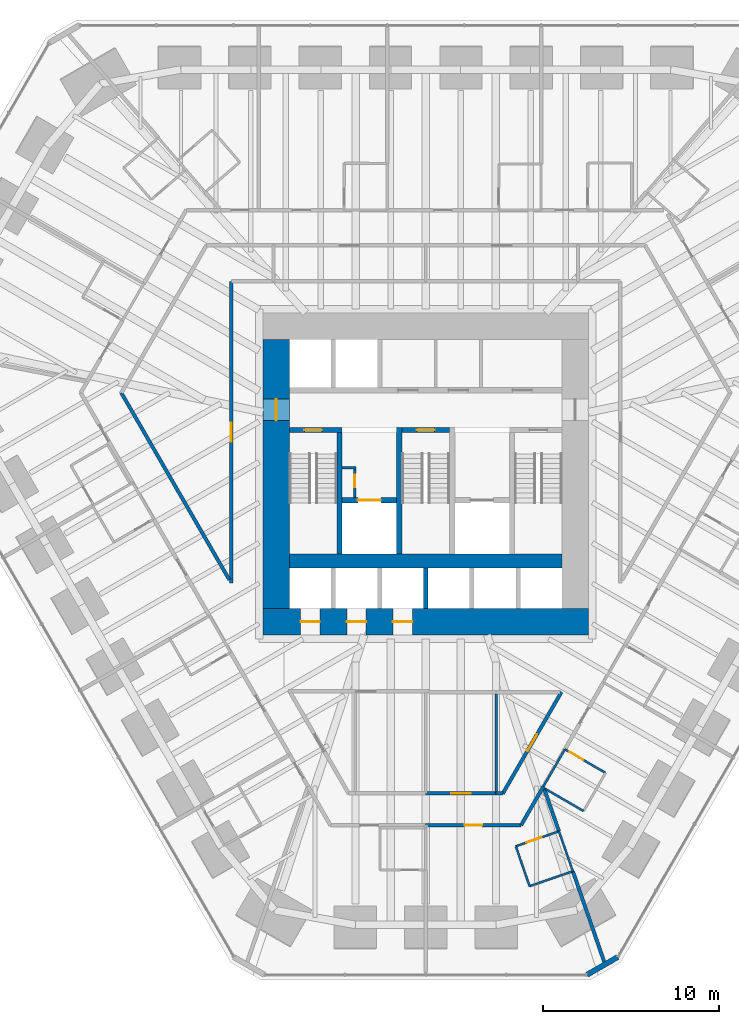
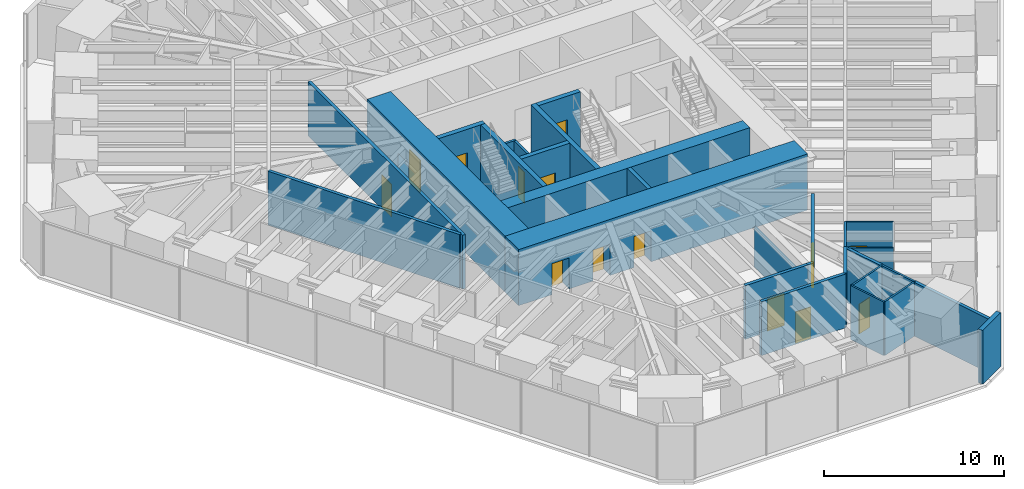
# One storey, part 12 of 17: 29 walls, 14 doors, 14 openings.
"""IFC4 building model written with IfcOpenShell, lengths in metres."""

from ifc_helpers import new_model, si_unit, direction, frame, frame_2d, origin, place, context, subcontext, project, spatial, rectangle, extrude, material, layer, layer_set, type_object, element, fill, save


model = new_model("IFC4")

# Units and contexts
model_context = context("Model", 3, precision=1e-05, world=origin(), true_north=direction((0.0, 1.0)))
body_context = subcontext(model_context, "Body", "Model", "MODEL_VIEW")
ifc_project = project(units=[si_unit("LENGTHUNIT", "METRE"), si_unit("AREAUNIT", "SQUARE_METRE"), si_unit("VOLUMEUNIT", "CUBIC_METRE"), si_unit("PLANEANGLEUNIT", "RADIAN"), si_unit("MASSUNIT", "GRAM", prefix="KILO")], contexts=[model_context])

# Site, building, storey
site_placement = place(None, origin())
site = spatial("IfcSite", under=ifc_project, at=site_placement, CompositionType="ELEMENT")
building_placement = place(site_placement, origin())
building = spatial("IfcBuilding", under=site, at=building_placement, Name="Sandreach Pilgrim Tower", CompositionType="ELEMENT")
storey_placement = place(building_placement, frame((0.0, 0.0, 87.60009765625)))
storey = spatial("IfcBuildingStorey", under=building, at=storey_placement, Name="L21", CompositionType="ELEMENT", Elevation=87.60009765625)

# Walls
ifc_material_1 = material(Name="Gypsum board on steel studs", Category="steel")
ifc_layer_1 = layer(ifc_material_1, 0.14990234375)
ifc_layer_set_1 = layer_set([ifc_layer_1], Name="Back of house wall 150")
wall_type_1 = type_object("IfcWallType", Name="Back of house wall 150", PredefinedType="PARTITIONING", material=ifc_layer_set_1)
wall_1_placement = place(storey_placement, frame((4.0, -13.949951171875, 0.0), z_axis=(0.0, 0.0, 1.0), x_axis=(0.0, -1.0, 0.0)))
element("IfcWall", 1, at=wall_1_placement, inside=storey, type_object=wall_type_1, Name="Back of house wall L21-082", PredefinedType="PARTITIONING", context=body_context, shape_type="SweptSolid", body=[
    extrude(rectangle(XDim=5.760009765625, YDim=0.14990234375, at=frame_2d((2.8798828125, 0.0))), origin(), (0.0, 0.0, 1.0), 2.712890625),
])
ifc_material_2 = material(Name="Moisture-resistant gypsum board on steel studs", Category="steel")
ifc_layer_2 = layer(ifc_material_2, 0.1201171875)
ifc_layer_set_2 = layer_set([ifc_layer_2], Name="Bathroom partition 120")
wall_type_2 = type_object("IfcWallType", Name="Bathroom partition 120", PredefinedType="PARTITIONING", material=ifc_layer_set_2)
wall_2_placement = place(storey_placement, frame((5.1201171875, -22.7099609375, 0.0), z_axis=(0.0, 0.0, 1.0), x_axis=(0.324880771143, -0.945754981241, 0.0)))
element("IfcWall", 2, at=wall_2_placement, inside=storey, type_object=wall_type_2, Name="Bathroom partition L21-087", PredefinedType="PARTITIONING", context=body_context, shape_type="SweptSolid", body=[
    extrude(rectangle(XDim=2.400146484375, YDim=0.1201171875, at=frame_2d((1.2001953125, 0.0))), origin(), (0.0, 0.0, 1.0), 3.639892578125),
])
wall_3_placement = place(storey_placement, frame((5.89990234375, -24.97998046875, 0.0), z_axis=(0.0, 0.0, 1.0), x_axis=(0.945165466094, 0.326591857987, 0.0)))
element("IfcWall", 3, at=wall_3_placement, inside=storey, type_object=wall_type_2, Name="Bathroom partition L21-089", PredefinedType="PARTITIONING", context=body_context, shape_type="SweptSolid", body=[
    extrude(rectangle(XDim=2.60302734375, YDim=0.1201171875, at=frame_2d((1.301513671875, 0.0))), origin(), (0.0, 0.0, 1.0), 3.639892578125),
])
wall_4_placement = place(storey_placement, frame((6.68994140625, -19.31005859375, 0.0), z_axis=(0.0, 0.0, 1.0), x_axis=(0.500522890398, 0.865723302324, 0.0)))
element("IfcWall", 4, at=wall_4_placement, inside=storey, type_object=wall_type_2, Name="Bathroom partition L21-094", PredefinedType="PARTITIONING", context=body_context, shape_type="SweptSolid", body=[
    extrude(rectangle(XDim=2.4375, YDim=0.1201171875, at=frame_2d((1.21875, 0.0))), origin(), (0.0, 0.0, 1.0), 3.639892578125),
])
wall_5_placement = place(storey_placement, frame((6.807861328125, -19.455078125, 0.0), z_axis=(0.0, 0.0, 1.0), x_axis=(0.864881956308, -0.501975299844, 0.0)))
element("IfcWall", 5, at=wall_5_placement, inside=storey, type_object=wall_type_2, Name="Bathroom partition L21-095", PredefinedType="PARTITIONING", context=body_context, shape_type="SweptSolid", body=[
    extrude(rectangle(XDim=2.5, YDim=0.1201171875, at=frame_2d((1.25, 0.0))), origin(), (0.0, 0.0, 1.0), 3.639892578125),
])

# Wall, opening, door
wall_6_placement = place(storey_placement, frame((7.570068359375, -21.860107421875, 0.0), z_axis=(0.0, 0.0, 1.0), x_axis=(-0.944782191137, -0.327698964463, 0.0)))
wall_6 = element("IfcWall", 6, at=wall_6_placement, inside=storey, type_object=wall_type_2, Name="Bathroom partition L21-096", PredefinedType="PARTITIONING", context=body_context, shape_type="SweptSolid", body=[
    extrude(rectangle(XDim=2.593505859375, YDim=0.1201171875, at=frame_2d((1.296875, 0.0))), origin(), (0.0, 0.0, 1.0), 3.639892578125),
])
opening_1_placement = place(wall_6_placement, frame((1.050048828125, 0.0, 0.0)))
opening_1 = element("IfcOpeningElement", 7, at=opening_1_placement, cuts=wall_6, Name="Opening D09-11B", PredefinedType="OPENING", context=body_context, shape_type="SweptSolid", body=[
    extrude(rectangle(XDim=0.89990234375, YDim=2.030029296875, at=frame_2d((0.449951171875, 1.01513671875))), frame((0.0, 0.06005859375, 0.0), z_axis=(0.0, -1.0, 0.0), x_axis=(1.0, 0.0, 0.0)), (0.0, 0.0, 1.0), 0.1201171875),
])
ifc_material_3 = material(Name="Timber door, steel frame", Category="steel")
door_type_1 = type_object("IfcDoorType", Name="Bathroom door", OperationType="SINGLE_SWING_LEFT", PredefinedType="DOOR", material=ifc_material_3)
door_1_placement = place(opening_1_placement, origin())
door_1 = element("IfcDoor", 8, at=door_1_placement, inside=storey, type_object=door_type_1, Name="Door 2111B", OperationType="SINGLE_SWING_RIGHT", OverallHeight=2.030029296875, OverallWidth=0.89990234375, PredefinedType="DOOR", context=body_context, shape_type="SweptSolid", body=[
    extrude(rectangle(XDim=0.89990234375, YDim=2.030029296875, at=frame_2d((0.449951171875, 1.01513671875))), frame((0.0, 0.02490234375, 0.0), z_axis=(0.0, -1.0, 0.0), x_axis=(1.0, 0.0, 0.0)), (0.0, 0.0, 1.0), 0.050048828125),
])
fill(opening_1, door_1)

# Wall
wall_7_placement = place(storey_placement, frame((7.570068359375, -21.860107421875, 0.0), z_axis=(0.0, 0.0, 1.0), x_axis=(0.328725498061, -0.944425511581, 0.0)))
element("IfcWall", 9, at=wall_7_placement, inside=storey, type_object=wall_type_2, Name="Bathroom partition L21-098", PredefinedType="PARTITIONING", context=body_context, shape_type="SweptSolid", body=[
    extrude(rectangle(XDim=2.4033203125, YDim=0.1201171875, at=frame_2d((1.20166015625, 0.0))), origin(), (0.0, 0.0, 1.0), 3.639892578125),
])

# Wall, opening, door
wall_8_placement = place(storey_placement, frame((10.219970703125, -18.5400390625, 0.0), z_axis=(0.0, 0.0, 1.0), x_axis=(-0.86498992408, 0.501789229896, 0.0)))
wall_8 = element("IfcWall", 10, at=wall_8_placement, inside=storey, type_object=wall_type_2, Name="Bathroom partition L21-110", PredefinedType="PARTITIONING", context=body_context, shape_type="SweptSolid", body=[
    extrude(rectangle(XDim=2.670654296875, YDim=0.1201171875, at=frame_2d((1.33544921875, 0.0))), origin(), (0.0, 0.0, 1.0), 3.639892578125),
])
opening_2_placement = place(wall_8_placement, frame((1.470458984375, 0.0, 0.0)))
opening_2 = element("IfcOpeningElement", 11, at=opening_2_placement, cuts=wall_8, Name="Opening D09-10B", PredefinedType="OPENING", context=body_context, shape_type="SweptSolid", body=[
    extrude(rectangle(XDim=0.89990234375, YDim=2.030029296875, at=frame_2d((0.449951171875, 1.01513671875))), frame((0.0, 0.06005859375, 0.0), z_axis=(0.0, -1.0, 0.0), x_axis=(1.0, 0.0, 0.0)), (0.0, 0.0, 1.0), 0.1201171875),
])
door_2_placement = place(opening_2_placement, origin())
door_2 = element("IfcDoor", 12, at=door_2_placement, inside=storey, type_object=door_type_1, Name="Door 2110B", OperationType="SINGLE_SWING_RIGHT", OverallHeight=2.030029296875, OverallWidth=0.89990234375, PredefinedType="DOOR", context=body_context, shape_type="SweptSolid", body=[
    extrude(rectangle(XDim=0.89990234375, YDim=2.030029296875, at=frame_2d((0.449951171875, 1.01513671875))), frame((0.0, 0.02490234375, 0.0), z_axis=(0.0, -1.0, 0.0), x_axis=(1.0, 0.0, 0.0)), (0.0, 0.0, 1.0), 0.050048828125),
])
fill(opening_2, door_2)

# Walls
ifc_material_4 = material(Name="Concrete 10000 psi", Category="concrete")
ifc_layer_3 = layer(ifc_material_4, 0.300048828125)
ifc_layer_set_3 = layer_set([ifc_layer_3], Name="Core inner wall 300")
wall_type_3 = type_object("IfcWallType", Name="Core inner wall 300", PredefinedType="SHEAR", material=ifc_layer_set_3)
for number, where, z_axis, x_axis, name in (
    (13, (-4.89990234375, -6.10009765625, 0.0), (0.0, 0.0, 1.0), (0.0, 1.0, 0.0), "Core wall I0 L21"),
    (14, (-1.5, -6.10009765625, 0.0), (0.0, 0.0, 1.0), (0.0, 1.0, 0.0), "Core wall I1 L21"),
):
    element("IfcWall", number, at=place(storey_placement, frame(where, z_axis=z_axis, x_axis=x_axis)), inside=storey, type_object=wall_type_3, Name=name, PredefinedType="SHEAR", context=body_context, shape_type="SweptSolid", body=[
        extrude(rectangle(XDim=7.2001953125, YDim=0.300048828125, at=frame_2d((3.60009765625, 0.0))), origin(), (0.0, 0.0, 1.0), 3.7998046875),
    ])

# Wall, opening, door
wall_9_placement = place(storey_placement, frame((-7.75, 0.949951171875, 0.0), z_axis=(0.0, 0.0, 1.0), x_axis=(1.0, 0.0, 0.0)))
wall_9 = element("IfcWall", 15, at=wall_9_placement, inside=storey, type_object=wall_type_3, Name="Core wall SN1 L21", PredefinedType="SHEAR", context=body_context, shape_type="SweptSolid", body=[
    extrude(rectangle(XDim=3.0, YDim=0.300048828125, at=frame_2d((1.5, 0.0))), origin(), (0.0, 0.0, 1.0), 3.7998046875),
])
opening_3_placement = place(wall_9_placement, frame((0.85009765625, 0.0, 0.0)))
opening_3 = element("IfcOpeningElement", 16, at=opening_3_placement, cuts=wall_9, Name="Opening D10S-ST1", PredefinedType="OPENING", context=body_context, shape_type="SweptSolid", body=[
    extrude(rectangle(XDim=1.0, YDim=2.199951171875, at=frame_2d((0.5, 1.10009765625))), frame((0.0, 0.14990234375, 0.0), z_axis=(0.0, -1.0, 0.0), x_axis=(1.0, 0.0, 0.0)), (0.0, 0.0, 1.0), 0.300048828125),
])
ifc_material_5 = material(Name="Steel door and frame", Category="steel")
door_type_2 = type_object("IfcDoorType", Name="Stair door", OperationType="SINGLE_SWING_LEFT", PredefinedType="DOOR", material=ifc_material_5)
door_3_placement = place(opening_3_placement, origin())
door_3 = element("IfcDoor", 17, at=door_3_placement, inside=storey, type_object=door_type_2, Name="Stair door ST1 L21", OperationType="SINGLE_SWING_LEFT", OverallHeight=2.199951171875, OverallWidth=1.0, PredefinedType="DOOR", context=body_context, shape_type="SweptSolid", body=[
    extrude(rectangle(XDim=1.0, YDim=2.199951171875, at=frame_2d((0.5, 1.10009765625))), frame((0.0, 0.02490234375, 0.0), z_axis=(0.0, -1.0, 0.0), x_axis=(1.0, 0.0, 0.0)), (0.0, 0.0, 1.0), 0.050048828125),
])
fill(opening_3, door_3)

wall_10_placement = place(storey_placement, frame((-1.35009765625, 0.949951171875, 0.0), z_axis=(0.0, 0.0, 1.0), x_axis=(1.0, 0.0, 0.0)))
wall_10 = element("IfcWall", 18, at=wall_10_placement, inside=storey, type_object=wall_type_3, Name="Core wall SN3 L21", PredefinedType="SHEAR", context=body_context, shape_type="SweptSolid", body=[
    extrude(rectangle(XDim=2.7001953125, YDim=0.300048828125, at=frame_2d((1.35009765625, 0.0))), origin(), (0.0, 0.0, 1.0), 3.7998046875),
])
opening_4_placement = place(wall_10_placement, frame((0.85009765625, 0.0, 0.0)))
opening_4 = element("IfcOpeningElement", 19, at=opening_4_placement, cuts=wall_10, Name="Opening D10S-ST3", PredefinedType="OPENING", context=body_context, shape_type="SweptSolid", body=[
    extrude(rectangle(XDim=1.0, YDim=2.199951171875, at=frame_2d((0.5, 1.10009765625))), frame((0.0, 0.14990234375, 0.0), z_axis=(0.0, -1.0, 0.0), x_axis=(1.0, 0.0, 0.0)), (0.0, 0.0, 1.0), 0.300048828125),
])
door_4_placement = place(opening_4_placement, origin())
door_4 = element("IfcDoor", 20, at=door_4_placement, inside=storey, type_object=door_type_2, Name="Stair door ST3 L21", OperationType="SINGLE_SWING_LEFT", OverallHeight=2.199951171875, OverallWidth=1.0, PredefinedType="DOOR", context=body_context, shape_type="SweptSolid", body=[
    extrude(rectangle(XDim=1.0, YDim=2.199951171875, at=frame_2d((0.5, 1.10009765625))), frame((0.0, 0.02490234375, 0.0), z_axis=(0.0, -1.0, 0.0), x_axis=(1.0, 0.0, 0.0)), (0.0, 0.0, 1.0), 0.050048828125),
])
fill(opening_4, door_4)

wall_11_placement = place(storey_placement, frame((-4.75, -3.050048828125, 0.0), z_axis=(0.0, 0.0, 1.0), x_axis=(1.0, 0.0, 0.0)))
wall_11 = element("IfcWall", 21, at=wall_11_placement, inside=storey, type_object=wall_type_3, Name="Core wall FL1 L21", PredefinedType="SHEAR", context=body_context, shape_type="SweptSolid", body=[
    extrude(rectangle(XDim=3.10009765625, YDim=0.300048828125, at=frame_2d((1.550048828125, 0.0))), origin(), (0.0, 0.0, 1.0), 3.7998046875),
])
opening_5_placement = place(wall_11_placement, frame((0.89990234375, 0.0, 0.0)))
opening_5 = element("IfcOpeningElement", 22, at=opening_5_placement, cuts=wall_11, Name="Opening LD13", PredefinedType="OPENING", context=body_context, shape_type="SweptSolid", body=[
    extrude(rectangle(XDim=1.300048828125, YDim=2.10009765625, at=frame_2d((0.64990234375, 1.050048828125))), frame((0.0, 0.14990234375, 0.0), z_axis=(0.0, -1.0, 0.0), x_axis=(1.0, 0.0, 0.0)), (0.0, 0.0, 1.0), 0.300048828125),
])
ifc_material_6 = material(Name="Steel door and frame", Category="steel")
door_type_3 = type_object("IfcDoorType", Name="Fire service lift landing door", OperationType="DOUBLE_DOOR_SLIDING", PredefinedType="DOOR", material=ifc_material_6)
door_5_placement = place(opening_5_placement, origin())
door_5 = element("IfcDoor", 23, at=door_5_placement, inside=storey, type_object=door_type_3, Name="Lift landing door FS1 L21", OperationType="DOUBLE_DOOR_SLIDING", OverallHeight=2.10009765625, OverallWidth=1.300048828125, PredefinedType="DOOR", context=body_context, shape_type="SweptSolid", body=[
    extrude(rectangle(XDim=1.300048828125, YDim=2.10009765625, at=frame_2d((0.64990234375, 1.050048828125))), frame((0.0, 0.02490234375, 0.0), z_axis=(0.0, -1.0, 0.0), x_axis=(1.0, 0.0, 0.0)), (0.0, 0.0, 1.0), 0.050048828125),
])
fill(opening_5, door_5)

# Wall
ifc_material_7 = material(Name="Concrete 10000 psi", Category="concrete")
ifc_layer_4 = layer(ifc_material_7, 0.800048828125)
ifc_layer_set_4 = layer_set([ifc_layer_4], Name="Core mid wall 800")
wall_type_4 = type_object("IfcWallType", Name="Core mid wall 800", PredefinedType="SHEAR", material=ifc_layer_set_4)
wall_12_placement = place(storey_placement, frame((-7.75, -6.5, 0.0), z_axis=(0.0, 0.0, 1.0), x_axis=(1.0, 0.0, 0.0)))
element("IfcWall", 24, at=wall_12_placement, inside=storey, type_object=wall_type_4, Name="Core wall M L21", PredefinedType="SHEAR", context=body_context, shape_type="SweptSolid", body=[
    extrude(rectangle(XDim=15.5, YDim=0.800048828125, at=frame_2d((7.75, 0.0))), origin(), (0.0, 0.0, 1.0), 3.7998046875),
])

# Wall, openings, doors
ifc_material_8 = material(Name="Concrete 10000 psi", Category="concrete")
ifc_layer_5 = layer(ifc_material_8, 1.5)
ifc_layer_set_5 = layer_set([ifc_layer_5], Name="Core wall 1500")
wall_type_5 = type_object("IfcWallType", Name="Core wall 1500", PredefinedType="SHEAR", material=ifc_layer_set_5)
wall_13_placement = place(storey_placement, frame((-9.25, -9.949951171875, 0.0), z_axis=(0.0, 0.0, 1.0), x_axis=(1.0, 0.0, 0.0)))
wall_13 = element("IfcWall", 25, at=wall_13_placement, inside=storey, type_object=wall_type_5, Name="Core wall S L21", PredefinedType="SHEAR", context=body_context, shape_type="SweptSolid", body=[
    extrude(rectangle(XDim=18.5, YDim=1.5, at=frame_2d((9.25, 0.0))), origin(), (0.0, 0.0, 1.0), 3.7998046875),
])
opening_6_placement = place(wall_13_placement, frame((2.137451171875, 0.0, 0.0)))
opening_6 = element("IfcOpeningElement", 26, at=opening_6_placement, cuts=wall_13, Name="Opening LD11", PredefinedType="OPENING", context=body_context, shape_type="SweptSolid", body=[
    extrude(rectangle(XDim=1.10009765625, YDim=2.10009765625, at=frame_2d((0.550048828125, 1.050048828125))), frame((0.0, 0.75, 0.0), z_axis=(0.0, -1.0, 0.0), x_axis=(1.0, 0.0, 0.0)), (0.0, 0.0, 1.0), 1.5),
])
opening_7_placement = place(wall_13_placement, frame((4.762451171875, 0.0, 0.0)))
opening_7 = element("IfcOpeningElement", 27, at=opening_7_placement, cuts=wall_13, Name="Opening LD11", PredefinedType="OPENING", context=body_context, shape_type="SweptSolid", body=[
    extrude(rectangle(XDim=1.10009765625, YDim=2.10009765625, at=frame_2d((0.550048828125, 1.050048828125))), frame((0.0, 0.75, 0.0), z_axis=(0.0, -1.0, 0.0), x_axis=(1.0, 0.0, 0.0)), (0.0, 0.0, 1.0), 1.5),
])
opening_8_placement = place(wall_13_placement, frame((7.387451171875, 0.0, 0.0)))
opening_8 = element("IfcOpeningElement", 28, at=opening_8_placement, cuts=wall_13, Name="Opening LD11", PredefinedType="OPENING", context=body_context, shape_type="SweptSolid", body=[
    extrude(rectangle(XDim=1.10009765625, YDim=2.10009765625, at=frame_2d((0.550048828125, 1.050048828125))), frame((0.0, 0.75, 0.0), z_axis=(0.0, -1.0, 0.0), x_axis=(1.0, 0.0, 0.0)), (0.0, 0.0, 1.0), 1.5),
])
ifc_material_9 = material(Name="Steel door and frame", Category="steel")
door_type_4 = type_object("IfcDoorType", Name="Lift landing door", OperationType="DOUBLE_DOOR_SLIDING", PredefinedType="DOOR", material=ifc_material_9)
door_6_placement = place(opening_6_placement, origin())
door_6 = element("IfcDoor", 29, at=door_6_placement, inside=storey, type_object=door_type_4, Name="Lift landing door Z1A L21", OperationType="DOUBLE_DOOR_SLIDING", OverallHeight=2.10009765625, OverallWidth=1.10009765625, PredefinedType="DOOR", context=body_context, shape_type="SweptSolid", body=[
    extrude(rectangle(XDim=1.10009765625, YDim=2.10009765625, at=frame_2d((0.550048828125, 1.050048828125))), frame((0.0, 0.02490234375, 0.0), z_axis=(0.0, -1.0, 0.0), x_axis=(1.0, 0.0, 0.0)), (0.0, 0.0, 1.0), 0.050048828125),
])
fill(opening_6, door_6)
door_7_placement = place(opening_7_placement, origin())
door_7 = element("IfcDoor", 30, at=door_7_placement, inside=storey, type_object=door_type_4, Name="Lift landing door Z1B L21", OperationType="DOUBLE_DOOR_SLIDING", OverallHeight=2.10009765625, OverallWidth=1.10009765625, PredefinedType="DOOR", context=body_context, shape_type="SweptSolid", body=[
    extrude(rectangle(XDim=1.10009765625, YDim=2.10009765625, at=frame_2d((0.550048828125, 1.050048828125))), frame((0.0, 0.02490234375, 0.0), z_axis=(0.0, -1.0, 0.0), x_axis=(1.0, 0.0, 0.0)), (0.0, 0.0, 1.0), 0.050048828125),
])
fill(opening_7, door_7)
door_8_placement = place(opening_8_placement, origin())
door_8 = element("IfcDoor", 31, at=door_8_placement, inside=storey, type_object=door_type_4, Name="Lift landing door Z1C L21", OperationType="DOUBLE_DOOR_SLIDING", OverallHeight=2.10009765625, OverallWidth=1.10009765625, PredefinedType="DOOR", context=body_context, shape_type="SweptSolid", body=[
    extrude(rectangle(XDim=1.10009765625, YDim=2.10009765625, at=frame_2d((0.550048828125, 1.050048828125))), frame((0.0, 0.02490234375, 0.0), z_axis=(0.0, -1.0, 0.0), x_axis=(1.0, 0.0, 0.0)), (0.0, 0.0, 1.0), 0.050048828125),
])
fill(opening_8, door_8)

# Wall, opening, door
wall_14_placement = place(storey_placement, frame((-8.5, -9.199951171875, 0.0), z_axis=(0.0, 0.0, 1.0), x_axis=(0.0, 1.0, 0.0)))
wall_14 = element("IfcWall", 32, at=wall_14_placement, inside=storey, type_object=wall_type_5, Name="Core wall W L21", PredefinedType="SHEAR", context=body_context, shape_type="SweptSolid", body=[
    extrude(rectangle(XDim=15.300048828125, YDim=1.5, at=frame_2d((7.64990234375, 0.0))), origin(), (0.0, 0.0, 1.0), 3.7998046875),
])
opening_9_placement = place(wall_14_placement, frame((10.699951171875, 0.0, 0.0)))
opening_9 = element("IfcOpeningElement", 33, at=opening_9_placement, cuts=wall_14, Name="Opening D12F-W", PredefinedType="OPENING", context=body_context, shape_type="SweptSolid", body=[
    extrude(rectangle(XDim=1.199951171875, YDim=2.199951171875, at=frame_2d((0.60009765625, 1.10009765625))), frame((0.0, 0.75, 0.0), z_axis=(0.0, -1.0, 0.0), x_axis=(1.0, 0.0, 0.0)), (0.0, 0.0, 1.0), 1.5),
])
ifc_material_10 = material(Name="Steel door and frame", Category="steel")
door_type_5 = type_object("IfcDoorType", Name="Fire lobby door", OperationType="SINGLE_SWING_LEFT", PredefinedType="DOOR", material=ifc_material_10)
door_9_placement = place(opening_9_placement, origin())
door_9 = element("IfcDoor", 34, at=door_9_placement, inside=storey, type_object=door_type_5, Name="Fire service lobby door W L21", OperationType="SINGLE_SWING_RIGHT", OverallHeight=2.199951171875, OverallWidth=1.199951171875, PredefinedType="DOOR", context=body_context, shape_type="SweptSolid", body=[
    extrude(rectangle(XDim=1.199951171875, YDim=2.199951171875, at=frame_2d((0.60009765625, 1.10009765625))), frame((0.0, 0.02490234375, 0.0), z_axis=(0.0, -1.0, 0.0), x_axis=(1.0, 0.0, 0.0)), (0.0, 0.0, 1.0), 0.050048828125),
])
fill(opening_9, door_9)

# Wall
ifc_material_11 = material(Name="Gypsum board on steel studs, two layers each side", Category="steel")
ifc_layer_6 = layer(ifc_material_11, 0.199951171875)
ifc_layer_set_6 = layer_set([ifc_layer_6], Name="Corridor wall 200")
wall_type_6 = type_object("IfcWallType", Name="Corridor wall 200", PredefinedType="PARTITIONING", material=ifc_layer_set_6)
wall_15_placement = place(storey_placement, frame((-11.16015625, -7.569580078125, 0.0), z_axis=(0.0, 0.0, 1.0), x_axis=(-0.500175206663, 0.865924224537, 0.0)))
element("IfcWall", 35, at=wall_15_placement, inside=storey, type_object=wall_type_6, Name="Corridor wall L21-043", PredefinedType="PARTITIONING", context=body_context, shape_type="SweptSolid", body=[
    extrude(rectangle(XDim=12.275390625, YDim=0.199951171875, at=frame_2d((6.1376953125, 0.0))), origin(), (0.0, 0.0, 1.0), 3.639892578125),
])

# Wall, opening, door
wall_16_placement = place(storey_placement, frame((-11.050048828125, 9.39990234375, 0.0), z_axis=(0.0, 0.0, 1.0), x_axis=(0.0, -1.0, 0.0)))
wall_16 = element("IfcWall", 36, at=wall_16_placement, inside=storey, type_object=wall_type_6, Name="Corridor wall L21-045", PredefinedType="PARTITIONING", context=body_context, shape_type="SweptSolid", body=[
    extrude(rectangle(XDim=17.159912109375, YDim=0.199951171875, at=frame_2d((8.580078125, 0.0))), origin(), (0.0, 0.0, 1.0), 3.639892578125),
])
opening_10_placement = place(wall_16_placement, frame((8.030029296875, 0.0, 0.0)))
opening_10 = element("IfcOpeningElement", 37, at=opening_10_placement, cuts=wall_16, Name="Opening D11H-M01", PredefinedType="OPENING", context=body_context, shape_type="SweptSolid", body=[
    extrude(rectangle(XDim=1.10009765625, YDim=2.199951171875, at=frame_2d((0.550048828125, 1.10009765625))), frame((0.0, 0.10009765625, 0.0), z_axis=(0.0, -1.0, 0.0), x_axis=(1.0, 0.0, 0.0)), (0.0, 0.0, 1.0), 0.199951171875),
])
ifc_material_12 = material(Name="Steel door and frame", Category="steel")
door_type_6 = type_object("IfcDoorType", Name="Back of house door", OperationType="SINGLE_SWING_LEFT", PredefinedType="DOOR", material=ifc_material_12)
door_10_placement = place(opening_10_placement, origin())
door_10 = element("IfcDoor", 38, at=door_10_placement, inside=storey, type_object=door_type_6, Name="Door 21M01", OperationType="SINGLE_SWING_LEFT", OverallHeight=2.199951171875, OverallWidth=1.10009765625, PredefinedType="DOOR", context=body_context, shape_type="SweptSolid", body=[
    extrude(rectangle(XDim=1.10009765625, YDim=2.199951171875, at=frame_2d((0.550048828125, 1.10009765625))), frame((0.0, 0.02490234375, 0.0), z_axis=(0.0, -1.0, 0.0), x_axis=(1.0, 0.0, 0.0)), (0.0, 0.0, 1.0), 0.050048828125),
])
fill(opening_10, door_10)

wall_17_placement = place(storey_placement, frame((0.0, -21.510009765625, 0.0), z_axis=(0.0, 0.0, 1.0), x_axis=(1.0, 0.0, 0.0)))
wall_17 = element("IfcWall", 39, at=wall_17_placement, inside=storey, type_object=wall_type_6, Name="Corridor wall L21-073", PredefinedType="PARTITIONING", context=body_context, shape_type="SweptSolid", body=[
    extrude(rectangle(XDim=5.419921875, YDim=0.199951171875, at=frame_2d((2.7099609375, 0.0))), origin(), (0.0, 0.0, 1.0), 3.639892578125),
])
opening_11_placement = place(wall_17_placement, frame((2.2099609375, 0.0, 0.0)))
opening_11 = element("IfcOpeningElement", 40, at=opening_11_placement, cuts=wall_17, Name="Opening D10-11", PredefinedType="OPENING", context=body_context, shape_type="SweptSolid", body=[
    extrude(rectangle(XDim=1.0, YDim=2.1298828125, at=frame_2d((0.5, 1.06494140625))), frame((0.0, 0.10009765625, 0.0), z_axis=(0.0, -1.0, 0.0), x_axis=(1.0, 0.0, 0.0)), (0.0, 0.0, 1.0), 0.199951171875),
])
ifc_material_13 = material(Name="Steel door and frame", Category="steel")
door_type_7 = type_object("IfcDoorType", Name="Guest room entry door", OperationType="SINGLE_SWING_LEFT", PredefinedType="DOOR", material=ifc_material_13)
door_11_placement = place(opening_11_placement, origin())
door_11 = element("IfcDoor", 41, at=door_11_placement, inside=storey, type_object=door_type_7, Name="Door 2111", OperationType="SINGLE_SWING_LEFT", OverallHeight=2.1298828125, OverallWidth=1.0, PredefinedType="DOOR", context=body_context, shape_type="SweptSolid", body=[
    extrude(rectangle(XDim=1.0, YDim=2.1298828125, at=frame_2d((0.5, 1.06494140625))), frame((0.0, 0.02490234375, 0.0), z_axis=(0.0, -1.0, 0.0), x_axis=(1.0, 0.0, 0.0)), (0.0, 0.0, 1.0), 0.050048828125),
])
fill(opening_11, door_11)

wall_18_placement = place(storey_placement, frame((4.0, -19.7099609375, 0.0), z_axis=(0.0, 0.0, 1.0), x_axis=(-1.0, 0.0, 0.0)))
wall_18 = element("IfcWall", 42, at=wall_18_placement, inside=storey, type_object=wall_type_6, Name="Corridor wall L21-081", PredefinedType="PARTITIONING", context=body_context, shape_type="SweptSolid", body=[
    extrude(rectangle(XDim=4.0, YDim=0.199951171875, at=frame_2d((2.0, 0.0))), origin(), (0.0, 0.0, 1.0), 3.639892578125),
])
opening_12_placement = place(wall_18_placement, frame((1.449951171875, 0.0, 0.0)))
opening_12 = element("IfcOpeningElement", 43, at=opening_12_placement, cuts=wall_18, Name="Opening D11H-S3", PredefinedType="OPENING", context=body_context, shape_type="SweptSolid", body=[
    extrude(rectangle(XDim=1.10009765625, YDim=2.199951171875, at=frame_2d((0.550048828125, 1.10009765625))), frame((0.0, 0.10009765625, 0.0), z_axis=(0.0, -1.0, 0.0), x_axis=(1.0, 0.0, 0.0)), (0.0, 0.0, 1.0), 0.199951171875),
])
door_12_placement = place(opening_12_placement, origin())
door_12 = element("IfcDoor", 44, at=door_12_placement, inside=storey, type_object=door_type_6, Name="Door 21S3", OperationType="SINGLE_SWING_LEFT", OverallHeight=2.199951171875, OverallWidth=1.10009765625, PredefinedType="DOOR", context=body_context, shape_type="SweptSolid", body=[
    extrude(rectangle(XDim=1.10009765625, YDim=2.199951171875, at=frame_2d((0.550048828125, 1.10009765625))), frame((0.0, 0.02490234375, 0.0), z_axis=(0.0, -1.0, 0.0), x_axis=(1.0, 0.0, 0.0)), (0.0, 0.0, 1.0), 0.050048828125),
])
fill(opening_12, door_12)

# Walls
wall_19_placement = place(storey_placement, frame((4.3798828125, -19.7099609375, 0.0), z_axis=(0.0, 0.0, 1.0), x_axis=(-1.0, 0.0, 0.0)))
element("IfcWall", 45, at=wall_19_placement, inside=storey, type_object=wall_type_6, Name="Corridor wall L21-086", PredefinedType="PARTITIONING", context=body_context, shape_type="SweptSolid", body=[
    extrude(rectangle(XDim=0.3798828125, YDim=0.199951171875, at=frame_2d((0.18994140625, 0.0))), origin(), (0.0, 0.0, 1.0), 3.639892578125),
])
wall_20_placement = place(storey_placement, frame((5.419921875, -21.510009765625, 0.0), z_axis=(0.0, 0.0, 1.0), x_axis=(0.499963722229, 0.866046347752, 0.0)))
element("IfcWall", 46, at=wall_20_placement, inside=storey, type_object=wall_type_6, Name="Corridor wall L21-088", PredefinedType="PARTITIONING", context=body_context, shape_type="SweptSolid", body=[
    extrude(rectangle(XDim=2.540283203125, YDim=0.199951171875, at=frame_2d((1.27001953125, 0.0))), origin(), (0.0, 0.0, 1.0), 3.639892578125),
])

# Wall, opening, door
wall_21_placement = place(storey_placement, frame((7.7099609375, -13.949951171875, 0.0), z_axis=(0.0, 0.0, 1.0), x_axis=(-0.500511113963, -0.865730110831, 0.0)))
wall_21 = element("IfcWall", 47, at=wall_21_placement, inside=storey, type_object=wall_type_6, Name="Corridor wall L21-099", PredefinedType="PARTITIONING", context=body_context, shape_type="SweptSolid", body=[
    extrude(rectangle(XDim=6.6533203125, YDim=0.199951171875, at=frame_2d((3.32666015625, 0.0))), origin(), (0.0, 0.0, 1.0), 3.639892578125),
])
opening_13_placement = place(wall_21_placement, frame((2.776611328125, 0.0, 0.0)))
opening_13 = element("IfcOpeningElement", 48, at=opening_13_placement, cuts=wall_21, Name="Opening D11H-S4", PredefinedType="OPENING", context=body_context, shape_type="SweptSolid", body=[
    extrude(rectangle(XDim=1.10009765625, YDim=2.199951171875, at=frame_2d((0.550048828125, 1.10009765625))), frame((0.0, 0.10009765625, 0.0), z_axis=(0.0, -1.0, 0.0), x_axis=(1.0, 0.0, 0.0)), (0.0, 0.0, 1.0), 0.199951171875),
])
door_13_placement = place(opening_13_placement, origin())
door_13 = element("IfcDoor", 49, at=door_13_placement, inside=storey, type_object=door_type_6, Name="Door 21S4", OperationType="SINGLE_SWING_LEFT", OverallHeight=2.199951171875, OverallWidth=1.10009765625, PredefinedType="DOOR", context=body_context, shape_type="SweptSolid", body=[
    extrude(rectangle(XDim=1.10009765625, YDim=2.199951171875, at=frame_2d((0.550048828125, 1.10009765625))), frame((0.0, 0.02490234375, 0.0), z_axis=(0.0, -1.0, 0.0), x_axis=(1.0, 0.0, 0.0)), (0.0, 0.0, 1.0), 0.050048828125),
])
fill(opening_13, door_13)

# Walls
ifc_material_14 = material(Name="Double steel stud acoustic wall, gypsum board", Category="steel")
ifc_layer_7 = layer(ifc_material_14, 0.199951171875)
ifc_layer_set_7 = layer_set([ifc_layer_7], Name="Party wall 200")
wall_type_7 = type_object("IfcWallType", Name="Party wall 200", PredefinedType="PARTITIONING", material=ifc_layer_set_7)
wall_22_placement = place(storey_placement, frame((7.570068359375, -21.860107421875, 0.0), z_axis=(0.0, 0.0, 1.0), x_axis=(-0.327782990589, 0.944753042377, 0.0)))
element("IfcWall", 50, at=wall_22_placement, inside=storey, type_object=wall_type_7, Name="Party wall L21-097", PredefinedType="PARTITIONING", context=body_context, shape_type="SweptSolid", body=[
    extrude(rectangle(XDim=2.593505859375, YDim=0.199951171875, at=frame_2d((1.296875, 0.0))), origin(), (0.0, 0.0, 1.0), 3.639892578125),
])
wall_23_placement = place(storey_placement, frame((8.360107421875, -24.1298828125, 0.0), z_axis=(0.0, 0.0, 1.0), x_axis=(0.327332811485, -0.944909112309, 0.0)))
element("IfcWall", 51, at=wall_23_placement, inside=storey, type_object=wall_type_7, Name="Party wall L21-101", PredefinedType="PARTITIONING", context=body_context, shape_type="SweptSolid", body=[
    extrude(rectangle(XDim=5.621337890625, YDim=0.199951171875, at=frame_2d((2.810546875, 0.0))), origin(), (0.0, 0.0, 1.0), 3.639892578125),
])

# Wall, opening, door
ifc_material_15 = material(Name="Gypsum shaft wall on steel studs, shaft liner board", Category="steel")
ifc_layer_8 = layer(ifc_material_15, 0.14990234375)
ifc_layer_set_8 = layer_set([ifc_layer_8], Name="Riser shaft wall 150")
wall_type_8 = type_object("IfcWallType", Name="Riser shaft wall 150", PredefinedType="PARTITIONING", material=ifc_layer_set_8)
wall_24_placement = place(storey_placement, frame((-4.02490234375, -2.89990234375, 0.0), z_axis=(0.0, 0.0, 1.0), x_axis=(0.0, 1.0, 0.0)))
wall_24 = element("IfcWall", 52, at=wall_24_placement, inside=storey, type_object=wall_type_8, Name="Riser partition L21 side", PredefinedType="PARTITIONING", context=body_context, shape_type="SweptSolid", body=[
    extrude(rectangle(XDim=1.77490234375, YDim=0.14990234375, at=frame_2d((0.887451171875, 0.0))), origin(), (0.0, 0.0, 1.0), 3.639892578125),
])
opening_14_placement = place(wall_24_placement, frame((0.60009765625, 0.0, 0.0)))
opening_14 = element("IfcOpeningElement", 53, at=opening_14_placement, cuts=wall_24, Name="Opening D07R", PredefinedType="OPENING", context=body_context, shape_type="SweptSolid", body=[
    extrude(rectangle(XDim=0.699951171875, YDim=2.10009765625, at=frame_2d((0.35009765625, 1.050048828125))), frame((0.0, 0.074951171875, 0.0), z_axis=(0.0, -1.0, 0.0), x_axis=(1.0, 0.0, 0.0)), (0.0, 0.0, 1.0), 0.14990234375),
])
ifc_material_16 = material(Name="Steel door and frame, smoke seals", Category="steel")
door_type_8 = type_object("IfcDoorType", Name="Riser access door", OperationType="SINGLE_SWING_RIGHT", PredefinedType="DOOR", material=ifc_material_16)
door_14_placement = place(opening_14_placement, origin())
door_14 = element("IfcDoor", 54, at=door_14_placement, inside=storey, type_object=door_type_8, Name="Door riser 21ER", OperationType="SINGLE_SWING_RIGHT", OverallHeight=2.10009765625, OverallWidth=0.699951171875, PredefinedType="DOOR", context=body_context, shape_type="SweptSolid", body=[
    extrude(rectangle(XDim=0.699951171875, YDim=2.10009765625, at=frame_2d((0.35009765625, 1.050048828125))), frame((0.0, 0.02490234375, 0.0), z_axis=(0.0, -1.0, 0.0), x_axis=(1.0, 0.0, 0.0)), (0.0, 0.0, 1.0), 0.050048828125),
])
fill(opening_14, door_14)

# Walls
wall_25_placement = place(storey_placement, frame((-4.75, -1.199951171875, 0.0), z_axis=(0.0, 0.0, 1.0), x_axis=(1.0, 0.0, 0.0)))
element("IfcWall", 55, at=wall_25_placement, inside=storey, type_object=wall_type_8, Name="Riser partition L21 front", PredefinedType="PARTITIONING", context=body_context, shape_type="SweptSolid", body=[
    extrude(rectangle(XDim=0.800048828125, YDim=0.14990234375, at=frame_2d((0.39990234375, 0.0))), origin(), (0.0, 0.0, 1.0), 3.639892578125),
])
ifc_material_17 = material(Name="Gypsum shaft wall on steel studs, two layers of shaft liner board", Category="steel")
ifc_layer_9 = layer(ifc_material_17, 0.25)
ifc_layer_set_9 = layer_set([ifc_layer_9], Name="Shaft partition 250")
wall_type_9 = type_object("IfcWallType", Name="Shaft partition 250", PredefinedType="PARTITIONING", material=ifc_layer_set_9)
wall_26_placement = place(storey_placement, frame((0.0, -9.199951171875, 0.0), z_axis=(0.0, 0.0, 1.0), x_axis=(0.0, 1.0, 0.0)))
element("IfcWall", 56, at=wall_26_placement, inside=storey, type_object=wall_type_9, Name="Shaft partition XS2 L21", PredefinedType="PARTITIONING", context=body_context, shape_type="SweptSolid", body=[
    extrude(rectangle(XDim=2.300048828125, YDim=0.25, at=frame_2d((1.14990234375, 0.0))), origin(), (0.0, 0.0, 1.0), 3.7998046875),
])
ifc_material_18 = material(Name="Terracotta rainscreen on concrete", Category="masonry")
ifc_layer_10 = layer(ifc_material_18, 0.300048828125)
ifc_layer_set_10 = layer_set([ifc_layer_10], Name="Terracotta chamfer pier")
wall_type_10 = type_object("IfcWallType", Name="Terracotta chamfer pier", PredefinedType="SOLIDWALL", material=ifc_layer_set_10)
wall_27_placement = place(storey_placement, frame((10.904052734375, -29.010986328125, 0.0), z_axis=(0.0, 0.0, 1.0), x_axis=(-0.866010750942, -0.50002537861, 0.0)))
element("IfcWall", 57, at=wall_27_placement, inside=storey, type_object=wall_type_10, Name="Chamfer pier L21 SE", PredefinedType="SOLIDWALL", context=body_context, shape_type="SweptSolid", body=[
    extrude(rectangle(XDim=2.0, YDim=0.300048828125, at=frame_2d((1.0, 0.0))), origin(), (0.0, 0.0, 1.0), 3.639892578125),
])

save(model, "model.ifc")
